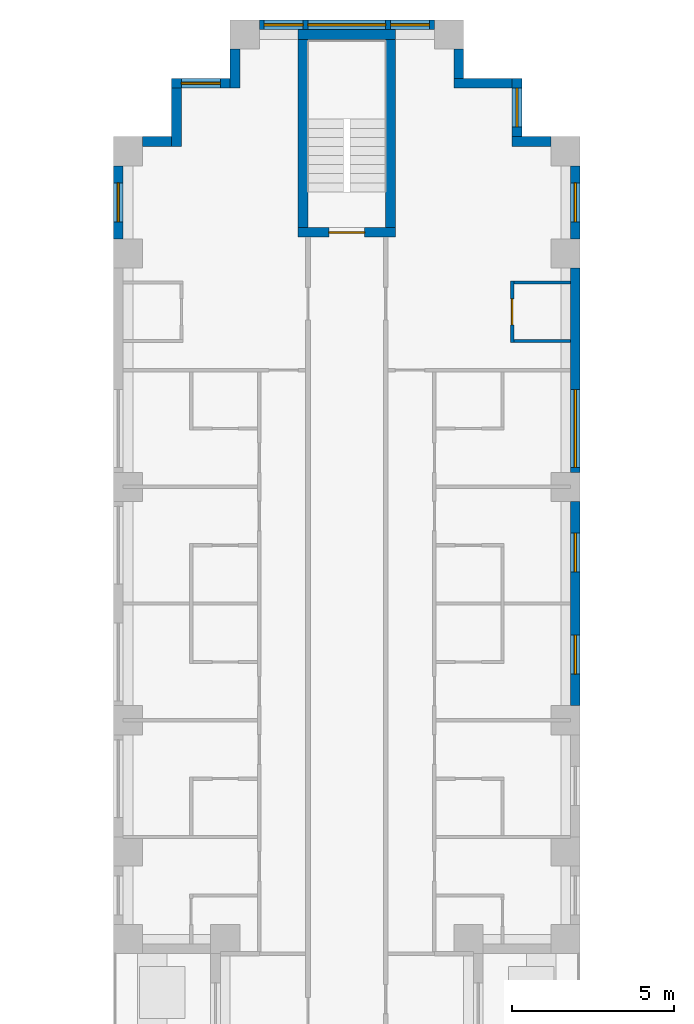
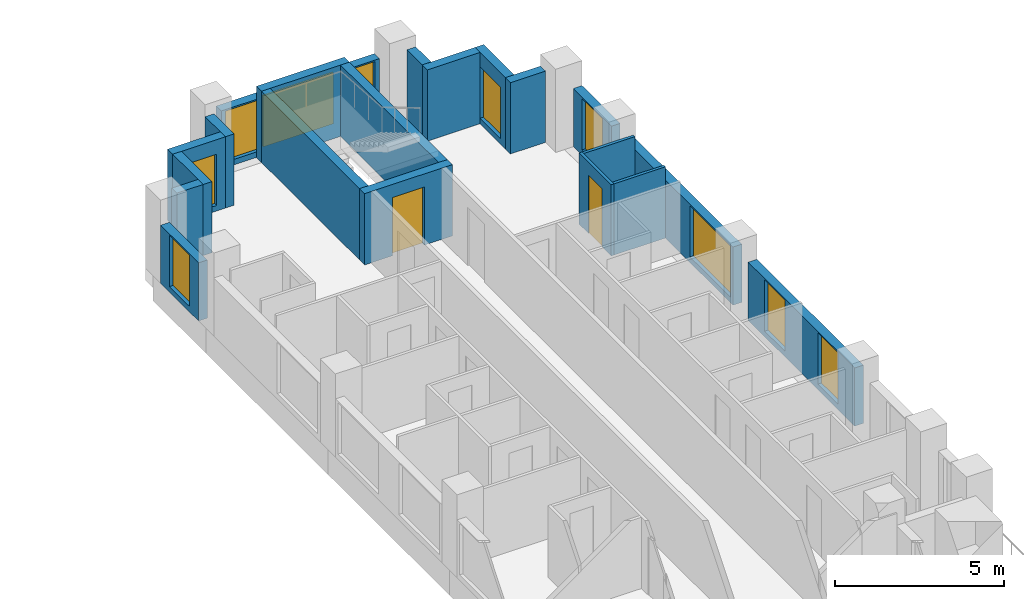
# One storey, part 12 of 15: 20 walls, 10 windows, 2 doors, 12 openings.
"""IFC4 building model written with IfcOpenShell, lengths in metres."""

from ifc_helpers import new_model, si_unit, direction, frame, frame_2d, origin, place, context, subcontext, project, spatial, rectangle, extrude, material, layer, layer_set, type_object, element, fill, save


model = new_model("IFC4")

# Units and contexts
model_context = context("Model", 3, precision=1e-05, world=origin(), true_north=direction((0.0, 1.0)))
body_context = subcontext(model_context, "Body", "Model", "MODEL_VIEW")
ifc_project = project(units=[si_unit("LENGTHUNIT", "METRE"), si_unit("AREAUNIT", "SQUARE_METRE"), si_unit("VOLUMEUNIT", "CUBIC_METRE"), si_unit("PLANEANGLEUNIT", "RADIAN"), si_unit("MASSUNIT", "GRAM", prefix="KILO")], contexts=[model_context])

# Site, building, storey
site_placement = place(None, origin())
site = spatial("IfcSite", under=ifc_project, at=site_placement, CompositionType="ELEMENT")
building_placement = place(site_placement, origin())
building = spatial("IfcBuilding", under=site, at=building_placement, Name="Fustian Cross Tower", CompositionType="ELEMENT")
storey_placement = place(building_placement, frame((0.0, 0.0, 14.699951171875)))
storey = spatial("IfcBuildingStorey", under=building, at=storey_placement, Name="L03", CompositionType="ELEMENT", Elevation=14.699951171875)

# Wall, opening, door
ifc_material_1 = material(Name="Plasterboard on steel stud", Category="steel")
ifc_layer_1 = layer(ifc_material_1, 0.10009765625)
ifc_layer_set_1 = layer_set([ifc_layer_1], Name="Plasterboard on steel stud")
wall_type_1 = type_object("IfcWallType", Name="PARTITION 100 STUD", PredefinedType="PARTITIONING", material=ifc_layer_set_1)
wall_1_placement = place(storey_placement, frame((5.10009765625, 33.25, 0.0), z_axis=(0.0, 0.0, 1.0), x_axis=(0.0, 1.0, 0.0)))
wall_1 = element("IfcWall", 1, at=wall_1_placement, inside=storey, type_object=wall_type_1, Name="Partition 95", PredefinedType="PARTITIONING", context=body_context, shape_type="SweptSolid", body=[
    extrude(rectangle(XDim=1.89990234375, YDim=0.10009765625, at=frame_2d((0.949951171875, 0.0))), origin(), (0.0, 0.0, 1.0), 2.574951171875),
])
opening_1_placement = place(wall_1_placement, frame((0.550048828125, 0.0, 0.0)))
opening_1 = element("IfcOpeningElement", 2, at=opening_1_placement, cuts=wall_1, Name="Opening D04035", PredefinedType="OPENING", context=body_context, shape_type="SweptSolid", body=[
    extrude(rectangle(XDim=0.800048828125, YDim=2.10009765625, at=frame_2d((0.39990234375, 1.050048828125))), frame((0.0, 0.06005859375, 0.0), z_axis=(0.0, -1.0, 0.0), x_axis=(1.0, 0.0, 0.0)), (0.0, 0.0, 1.0), 0.1201171875),
])
ifc_material_2 = material(Name="Painted timber", Category="wood")
door_type_1 = type_object("IfcDoorType", Name="SWING DOOR 800", OperationType="SINGLE_SWING_LEFT", PredefinedType="DOOR", material=ifc_material_2)
door_1_placement = place(opening_1_placement, frame((0.800048828125, 0.0, 0.0), z_axis=(0.0, 0.0, 1.0), x_axis=(-1.0, 0.0, 0.0)))
door_1 = element("IfcDoor", 3, at=door_1_placement, inside=storey, type_object=door_type_1, Name="Door D04035", OperationType="SINGLE_SWING_LEFT", OverallHeight=2.10009765625, OverallWidth=0.800048828125, PredefinedType="DOOR", context=body_context, shape_type="SweptSolid", body=[
    extrude(rectangle(XDim=0.800048828125, YDim=2.10009765625, at=frame_2d((0.39990234375, 1.050048828125))), frame((0.0, 0.02490234375, 0.0), z_axis=(0.0, -1.0, 0.0), x_axis=(1.0, 0.0, 0.0)), (0.0, 0.0, 1.0), 0.050048828125),
])
fill(opening_1, door_1)

# Walls
for number, where, z_axis, x_axis, name in (
    (4, (5.14990234375, 33.300048828125, 0.0), (0.0, 0.0, 1.0), (1.0, 0.0, 0.0), "Partition 96"),
    (5, (5.14990234375, 35.10009765625, 0.0), (0.0, 0.0, 1.0), (1.0, 0.0, 0.0), "Partition 97"),
):
    element("IfcWall", number, at=place(storey_placement, frame(where, z_axis=z_axis, x_axis=x_axis)), inside=storey, type_object=wall_type_1, Name=name, PredefinedType="PARTITIONING", context=body_context, shape_type="SweptSolid", body=[
        extrude(rectangle(XDim=1.75, YDim=0.10009765625, at=frame_2d((0.875, 0.0))), origin(), (0.0, 0.0, 1.0), 2.574951171875),
    ])

# Wall, opening, door
ifc_material_3 = material(Name="Concrete C50/60", Category="concrete")
ifc_layer_2 = layer(ifc_material_3, 0.300048828125)
ifc_layer_set_2 = layer_set([ifc_layer_2], Name="Concrete C50/60")
wall_type_2 = type_object("IfcWallType", Name="STAIR ENCLOSURE WALL 300 C50/60", PredefinedType="SHEAR", material=ifc_layer_set_2)
wall_2_placement = place(storey_placement, frame((-1.5, 36.64990234375, 0.0), z_axis=(0.0, 0.0, 1.0), x_axis=(1.0, 0.0, 0.0)))
wall_2 = element("IfcWall", 6, at=wall_2_placement, inside=storey, type_object=wall_type_2, Name="Stair enclosure wall", PredefinedType="SHEAR", context=body_context, shape_type="SweptSolid", body=[
    extrude(rectangle(XDim=3.0, YDim=0.300048828125, at=frame_2d((1.5, 0.0))), origin(), (0.0, 0.0, 1.0), 2.574951171875),
])
opening_2_placement = place(wall_2_placement, frame((0.949951171875, 0.0, 0.0)))
opening_2 = element("IfcOpeningElement", 7, at=opening_2_placement, cuts=wall_2, Name="Opening CD-04-29", PredefinedType="OPENING", context=body_context, shape_type="SweptSolid", body=[
    extrude(rectangle(XDim=1.10009765625, YDim=2.10009765625, at=frame_2d((0.550048828125, 1.050048828125))), frame((0.0, 0.159912109375, 0.0), z_axis=(0.0, -1.0, 0.0), x_axis=(1.0, 0.0, 0.0)), (0.0, 0.0, 1.0), 0.320068359375),
])
ifc_material_4 = material(Name="Steel", Category="steel")
door_type_2 = type_object("IfcDoorType", Name="FIRE DOOR FD60S 1100X2100", OperationType="SINGLE_SWING_LEFT", PredefinedType="DOOR", material=ifc_material_4)
door_2_placement = place(opening_2_placement, origin())
door_2 = element("IfcDoor", 8, at=door_2_placement, inside=storey, type_object=door_type_2, Name="Core door CD-04-29", OperationType="SINGLE_SWING_LEFT", OverallHeight=2.10009765625, OverallWidth=1.10009765625, PredefinedType="DOOR", context=body_context, shape_type="SweptSolid", body=[
    extrude(rectangle(XDim=1.10009765625, YDim=2.10009765625, at=frame_2d((0.550048828125, 1.050048828125))), frame((0.0, 0.02490234375, 0.0), z_axis=(0.0, -1.0, 0.0), x_axis=(1.0, 0.0, 0.0)), (0.0, 0.0, 1.0), 0.050048828125),
])
fill(opening_2, door_2)

# Walls
wall_3_placement = place(storey_placement, frame((-1.5, 42.75, 0.0), z_axis=(0.0, 0.0, 1.0), x_axis=(1.0, 0.0, 0.0)))
element("IfcWall", 9, at=wall_3_placement, inside=storey, type_object=wall_type_2, Name="Stair enclosure wall", PredefinedType="SHEAR", context=body_context, shape_type="SweptSolid", body=[
    extrude(rectangle(XDim=3.0, YDim=0.300048828125, at=frame_2d((1.5, 0.0))), origin(), (0.0, 0.0, 1.0), 2.574951171875),
])
for number, where, z_axis, x_axis, name in (
    (10, (-1.35009765625, 36.800048828125, 0.0), (0.0, 0.0, 1.0), (0.0, 1.0, 0.0), "Stair enclosure wall"),
    (11, (1.35009765625, 36.800048828125, 0.0), (0.0, 0.0, 1.0), (0.0, 1.0, 0.0), "Stair enclosure wall"),
):
    element("IfcWall", number, at=place(storey_placement, frame(where, z_axis=z_axis, x_axis=x_axis)), inside=storey, type_object=wall_type_2, Name=name, PredefinedType="SHEAR", context=body_context, shape_type="SweptSolid", body=[
        extrude(rectangle(XDim=5.800048828125, YDim=0.300048828125, at=frame_2d((2.89990234375, 0.0))), origin(), (0.0, 0.0, 1.0), 2.574951171875),
    ])

# Wall, openings, windows
ifc_material_5 = material(Name="Dark aluminium cladding on insulated backing wall", Category="aluminium")
ifc_layer_3 = layer(ifc_material_5, 0.300048828125)
ifc_layer_set_3 = layer_set([ifc_layer_3], Name="Dark aluminium cladding on insulated backing wall")
wall_type_3 = type_object("IfcWallType", Name="XW1 EXTERNAL WALL 300", PredefinedType="SOLIDWALL", material=ifc_layer_set_3)
wall_4_placement = place(storey_placement, frame((7.050048828125, 22.050048828125, 0.0), z_axis=(0.0, 0.0, 1.0), x_axis=(0.0, 1.0, 0.0)))
wall_4 = element("IfcWall", 12, at=wall_4_placement, inside=storey, type_object=wall_type_3, Name="External wall", PredefinedType="SOLIDWALL", context=body_context, shape_type="SweptSolid", body=[
    extrude(rectangle(XDim=6.300048828125, YDim=0.300048828125, at=frame_2d((3.14990234375, 0.0))), origin(), (0.0, 0.0, 1.0), 2.10009765625),
])
opening_3_placement = place(wall_4_placement, frame((0.97509765625, 0.0, 0.199951171875)))
opening_3 = element("IfcOpeningElement", 13, at=opening_3_placement, cuts=wall_4, Name="Opening WN3", PredefinedType="OPENING", context=body_context, shape_type="SweptSolid", body=[
    extrude(rectangle(XDim=1.199951171875, YDim=1.85009765625, at=frame_2d((0.60009765625, 0.925048828125))), frame((0.0, 0.159912109375, 0.0), z_axis=(0.0, -1.0, 0.0), x_axis=(1.0, 0.0, 0.0)), (0.0, 0.0, 1.0), 0.320068359375),
])
opening_4_placement = place(wall_4_placement, frame((4.125, 0.0, 0.199951171875)))
opening_4 = element("IfcOpeningElement", 14, at=opening_4_placement, cuts=wall_4, Name="Opening WN3", PredefinedType="OPENING", context=body_context, shape_type="SweptSolid", body=[
    extrude(rectangle(XDim=1.199951171875, YDim=1.85009765625, at=frame_2d((0.60009765625, 0.925048828125))), frame((0.0, 0.159912109375, 0.0), z_axis=(0.0, -1.0, 0.0), x_axis=(1.0, 0.0, 0.0)), (0.0, 0.0, 1.0), 0.320068359375),
])
ifc_material_6 = material(Name="Dark anodised aluminium and double glazing", Category="aluminium")
window_type_1 = type_object("IfcWindowType", Name="WN3 WINDOW 1200X1850", PartitioningType="SINGLE_PANEL", PredefinedType="WINDOW", material=ifc_material_6)
window_1_placement = place(opening_3_placement, origin())
window_1 = element("IfcWindow", 15, at=window_1_placement, inside=storey, type_object=window_type_1, Name="Window", OverallHeight=1.85009765625, OverallWidth=1.199951171875, PartitioningType="SINGLE_PANEL", PredefinedType="WINDOW", context=body_context, shape_type="SweptSolid", body=[
    extrude(rectangle(XDim=1.199951171875, YDim=1.85009765625, at=frame_2d((0.60009765625, 0.925048828125))), frame((0.0, 0.030029296875, 0.0), z_axis=(0.0, -1.0, 0.0), x_axis=(1.0, 0.0, 0.0)), (0.0, 0.0, 1.0), 0.06005859375),
])
fill(opening_3, window_1)
window_2_placement = place(opening_4_placement, origin())
window_2 = element("IfcWindow", 16, at=window_2_placement, inside=storey, type_object=window_type_1, Name="Window", OverallHeight=1.85009765625, OverallWidth=1.199951171875, PartitioningType="SINGLE_PANEL", PredefinedType="WINDOW", context=body_context, shape_type="SweptSolid", body=[
    extrude(rectangle(XDim=1.199951171875, YDim=1.85009765625, at=frame_2d((0.60009765625, 0.925048828125))), frame((0.0, 0.030029296875, 0.0), z_axis=(0.0, -1.0, 0.0), x_axis=(1.0, 0.0, 0.0)), (0.0, 0.0, 1.0), 0.06005859375),
])
fill(opening_4, window_2)

# Wall, opening, window
wall_5_placement = place(storey_placement, frame((7.050048828125, 29.25, 0.0), z_axis=(0.0, 0.0, 1.0), x_axis=(0.0, 1.0, 0.0)))
wall_5 = element("IfcWall", 17, at=wall_5_placement, inside=storey, type_object=wall_type_3, Name="External wall", PredefinedType="SOLIDWALL", context=body_context, shape_type="SweptSolid", body=[
    extrude(rectangle(XDim=6.300048828125, YDim=0.300048828125, at=frame_2d((3.14990234375, 0.0))), origin(), (0.0, 0.0, 1.0), 2.10009765625),
])
opening_5_placement = place(wall_5_placement, frame((0.14990234375, 0.0, 0.199951171875)))
opening_5 = element("IfcOpeningElement", 18, at=opening_5_placement, cuts=wall_5, Name="Opening WN1", PredefinedType="OPENING", context=body_context, shape_type="SweptSolid", body=[
    extrude(rectangle(XDim=2.39990234375, YDim=1.85009765625, at=frame_2d((1.199951171875, 0.925048828125))), frame((0.0, 0.159912109375, 0.0), z_axis=(0.0, -1.0, 0.0), x_axis=(1.0, 0.0, 0.0)), (0.0, 0.0, 1.0), 0.320068359375),
])
ifc_material_7 = material(Name="Dark anodised aluminium and double glazing", Category="aluminium")
window_type_2 = type_object("IfcWindowType", Name="WN1 WINDOW 2400X1850", PartitioningType="SINGLE_PANEL", PredefinedType="WINDOW", material=ifc_material_7)
window_3_placement = place(opening_5_placement, origin())
window_3 = element("IfcWindow", 19, at=window_3_placement, inside=storey, type_object=window_type_2, Name="Window", OverallHeight=1.85009765625, OverallWidth=2.39990234375, PartitioningType="SINGLE_PANEL", PredefinedType="WINDOW", context=body_context, shape_type="SweptSolid", body=[
    extrude(rectangle(XDim=2.39990234375, YDim=1.85009765625, at=frame_2d((1.199951171875, 0.925048828125))), frame((0.0, 0.030029296875, 0.0), z_axis=(0.0, -1.0, 0.0), x_axis=(1.0, 0.0, 0.0)), (0.0, 0.0, 1.0), 0.06005859375),
])
fill(opening_5, window_3)

wall_6_placement = place(storey_placement, frame((7.050048828125, 36.449951171875, 0.0), z_axis=(0.0, 0.0, 1.0), x_axis=(0.0, 1.0, 0.0)))
wall_6 = element("IfcWall", 20, at=wall_6_placement, inside=storey, type_object=wall_type_3, Name="External wall", PredefinedType="SOLIDWALL", context=body_context, shape_type="SweptSolid", body=[
    extrude(rectangle(XDim=2.25, YDim=0.300048828125, at=frame_2d((1.125, 0.0))), origin(), (0.0, 0.0, 1.0), 2.10009765625),
])
opening_6_placement = place(wall_6_placement, frame((0.52490234375, 0.0, 0.199951171875)))
opening_6 = element("IfcOpeningElement", 21, at=opening_6_placement, cuts=wall_6, Name="Opening WN3", PredefinedType="OPENING", context=body_context, shape_type="SweptSolid", body=[
    extrude(rectangle(XDim=1.199951171875, YDim=1.85009765625, at=frame_2d((0.60009765625, 0.925048828125))), frame((0.0, 0.159912109375, 0.0), z_axis=(0.0, -1.0, 0.0), x_axis=(1.0, 0.0, 0.0)), (0.0, 0.0, 1.0), 0.320068359375),
])
window_4_placement = place(opening_6_placement, origin())
window_4 = element("IfcWindow", 22, at=window_4_placement, inside=storey, type_object=window_type_1, Name="Window", OverallHeight=1.85009765625, OverallWidth=1.199951171875, PartitioningType="SINGLE_PANEL", PredefinedType="WINDOW", context=body_context, shape_type="SweptSolid", body=[
    extrude(rectangle(XDim=1.199951171875, YDim=1.85009765625, at=frame_2d((0.60009765625, 0.925048828125))), frame((0.0, 0.030029296875, 0.0), z_axis=(0.0, -1.0, 0.0), x_axis=(1.0, 0.0, 0.0)), (0.0, 0.0, 1.0), 0.06005859375),
])
fill(opening_6, window_4)

# Wall
wall_7_placement = place(storey_placement, frame((6.300048828125, 39.449951171875, 0.0), z_axis=(0.0, 0.0, 1.0), x_axis=(-1.0, 0.0, 0.0)))
element("IfcWall", 23, at=wall_7_placement, inside=storey, type_object=wall_type_3, Name="External wall", PredefinedType="SOLIDWALL", context=body_context, shape_type="SweptSolid", body=[
    extrude(rectangle(XDim=1.199951171875, YDim=0.300048828125, at=frame_2d((0.60009765625, 0.0))), origin(), (0.0, 0.0, 1.0), 2.574951171875),
])

# Wall, opening, window
wall_8_placement = place(storey_placement, frame((5.25, 39.60009765625, 0.0), z_axis=(0.0, 0.0, 1.0), x_axis=(0.0, 1.0, 0.0)))
wall_8 = element("IfcWall", 24, at=wall_8_placement, inside=storey, type_object=wall_type_3, Name="External wall", PredefinedType="SOLIDWALL", context=body_context, shape_type="SweptSolid", body=[
    extrude(rectangle(XDim=1.7998046875, YDim=0.300048828125, at=frame_2d((0.89990234375, 0.0))), origin(), (0.0, 0.0, 1.0), 2.574951171875),
])
opening_7_placement = place(wall_8_placement, frame((0.300048828125, 0.0, 0.199951171875)))
opening_7 = element("IfcOpeningElement", 25, at=opening_7_placement, cuts=wall_8, Name="Opening WN3", PredefinedType="OPENING", context=body_context, shape_type="SweptSolid", body=[
    extrude(rectangle(XDim=1.199951171875, YDim=1.85009765625, at=frame_2d((0.60009765625, 0.925048828125))), frame((0.0, 0.159912109375, 0.0), z_axis=(0.0, -1.0, 0.0), x_axis=(1.0, 0.0, 0.0)), (0.0, 0.0, 1.0), 0.320068359375),
])
window_5_placement = place(opening_7_placement, origin())
window_5 = element("IfcWindow", 26, at=window_5_placement, inside=storey, type_object=window_type_1, Name="Window", OverallHeight=1.85009765625, OverallWidth=1.199951171875, PartitioningType="SINGLE_PANEL", PredefinedType="WINDOW", context=body_context, shape_type="SweptSolid", body=[
    extrude(rectangle(XDim=1.199951171875, YDim=1.85009765625, at=frame_2d((0.60009765625, 0.925048828125))), frame((0.0, 0.030029296875, 0.0), z_axis=(0.0, -1.0, 0.0), x_axis=(1.0, 0.0, 0.0)), (0.0, 0.0, 1.0), 0.06005859375),
])
fill(opening_7, window_5)

# Walls
wall_9_placement = place(storey_placement, frame((5.10009765625, 41.25, 0.0), z_axis=(0.0, 0.0, 1.0), x_axis=(-1.0, 0.0, 0.0)))
element("IfcWall", 27, at=wall_9_placement, inside=storey, type_object=wall_type_3, Name="External wall", PredefinedType="SOLIDWALL", context=body_context, shape_type="SweptSolid", body=[
    extrude(rectangle(XDim=1.800048828125, YDim=0.300048828125, at=frame_2d((0.89990234375, 0.0))), origin(), (0.0, 0.0, 1.0), 2.574951171875),
])
wall_10_placement = place(storey_placement, frame((3.449951171875, 41.39990234375, 0.0), z_axis=(0.0, 0.0, 1.0), x_axis=(0.0, 1.0, 0.0)))
element("IfcWall", 28, at=wall_10_placement, inside=storey, type_object=wall_type_3, Name="External wall", PredefinedType="SOLIDWALL", context=body_context, shape_type="SweptSolid", body=[
    extrude(rectangle(XDim=0.900146484375, YDim=0.300048828125, at=frame_2d((0.4501953125, 0.0))), origin(), (0.0, 0.0, 1.0), 2.574951171875),
])

# Wall, openings, windows
wall_11_placement = place(storey_placement, frame((2.699951171875, 43.050048828125, 0.0), z_axis=(0.0, 0.0, 1.0), x_axis=(-1.0, 0.0, 0.0)))
wall_11 = element("IfcWall", 29, at=wall_11_placement, inside=storey, type_object=wall_type_3, Name="External wall", PredefinedType="SOLIDWALL", context=body_context, shape_type="SweptSolid", body=[
    extrude(rectangle(XDim=5.39990234375, YDim=0.300048828125, at=frame_2d((2.699951171875, 0.0))), origin(), (0.0, 0.0, 1.0), 2.10009765625),
])
opening_8_placement = place(wall_11_placement, frame((1.5, 0.0, 0.199951171875)))
opening_8 = element("IfcOpeningElement", 30, at=opening_8_placement, cuts=wall_11, Name="Opening WN1", PredefinedType="OPENING", context=body_context, shape_type="SweptSolid", body=[
    extrude(rectangle(XDim=2.39990234375, YDim=1.85009765625, at=frame_2d((1.199951171875, 0.925048828125))), frame((0.0, 0.159912109375, 0.0), z_axis=(0.0, -1.0, 0.0), x_axis=(1.0, 0.0, 0.0)), (0.0, 0.0, 1.0), 0.320068359375),
])
opening_9_placement = place(wall_11_placement, frame((0.14990234375, 0.0, 0.199951171875)))
opening_9 = element("IfcOpeningElement", 31, at=opening_9_placement, cuts=wall_11, Name="Opening WN3", PredefinedType="OPENING", context=body_context, shape_type="SweptSolid", body=[
    extrude(rectangle(XDim=1.199951171875, YDim=1.85009765625, at=frame_2d((0.60009765625, 0.925048828125))), frame((0.0, 0.159912109375, 0.0), z_axis=(0.0, -1.0, 0.0), x_axis=(1.0, 0.0, 0.0)), (0.0, 0.0, 1.0), 0.320068359375),
])
opening_10_placement = place(wall_11_placement, frame((4.050048828125, 0.0, 0.199951171875)))
opening_10 = element("IfcOpeningElement", 32, at=opening_10_placement, cuts=wall_11, Name="Opening WN3", PredefinedType="OPENING", context=body_context, shape_type="SweptSolid", body=[
    extrude(rectangle(XDim=1.199951171875, YDim=1.85009765625, at=frame_2d((0.60009765625, 0.925048828125))), frame((0.0, 0.159912109375, 0.0), z_axis=(0.0, -1.0, 0.0), x_axis=(1.0, 0.0, 0.0)), (0.0, 0.0, 1.0), 0.320068359375),
])
window_6_placement = place(opening_8_placement, origin())
window_6 = element("IfcWindow", 33, at=window_6_placement, inside=storey, type_object=window_type_2, Name="Window", OverallHeight=1.85009765625, OverallWidth=2.39990234375, PartitioningType="SINGLE_PANEL", PredefinedType="WINDOW", context=body_context, shape_type="SweptSolid", body=[
    extrude(rectangle(XDim=2.39990234375, YDim=1.85009765625, at=frame_2d((1.199951171875, 0.925048828125))), frame((0.0, 0.030029296875, 0.0), z_axis=(0.0, -1.0, 0.0), x_axis=(1.0, 0.0, 0.0)), (0.0, 0.0, 1.0), 0.06005859375),
])
fill(opening_8, window_6)
window_7_placement = place(opening_9_placement, origin())
window_7 = element("IfcWindow", 34, at=window_7_placement, inside=storey, type_object=window_type_1, Name="Window", OverallHeight=1.85009765625, OverallWidth=1.199951171875, PartitioningType="SINGLE_PANEL", PredefinedType="WINDOW", context=body_context, shape_type="SweptSolid", body=[
    extrude(rectangle(XDim=1.199951171875, YDim=1.85009765625, at=frame_2d((0.60009765625, 0.925048828125))), frame((0.0, 0.030029296875, 0.0), z_axis=(0.0, -1.0, 0.0), x_axis=(1.0, 0.0, 0.0)), (0.0, 0.0, 1.0), 0.06005859375),
])
fill(opening_9, window_7)
window_8_placement = place(opening_10_placement, origin())
window_8 = element("IfcWindow", 35, at=window_8_placement, inside=storey, type_object=window_type_1, Name="Window", OverallHeight=1.85009765625, OverallWidth=1.199951171875, PartitioningType="SINGLE_PANEL", PredefinedType="WINDOW", context=body_context, shape_type="SweptSolid", body=[
    extrude(rectangle(XDim=1.199951171875, YDim=1.85009765625, at=frame_2d((0.60009765625, 0.925048828125))), frame((0.0, 0.030029296875, 0.0), z_axis=(0.0, -1.0, 0.0), x_axis=(1.0, 0.0, 0.0)), (0.0, 0.0, 1.0), 0.06005859375),
])
fill(opening_10, window_8)

# Wall
wall_12_placement = place(storey_placement, frame((-3.449951171875, 42.300048828125, 0.0), z_axis=(0.0, 0.0, 1.0), x_axis=(0.0, -1.0, 0.0)))
element("IfcWall", 36, at=wall_12_placement, inside=storey, type_object=wall_type_3, Name="External wall", PredefinedType="SOLIDWALL", context=body_context, shape_type="SweptSolid", body=[
    extrude(rectangle(XDim=1.199951171875, YDim=0.300048828125, at=frame_2d((0.60009765625, 0.0))), origin(), (0.0, 0.0, 1.0), 2.574951171875),
])

# Wall, opening, window
wall_13_placement = place(storey_placement, frame((-3.60009765625, 41.25, 0.0), z_axis=(0.0, 0.0, 1.0), x_axis=(-1.0, 0.0, 0.0)))
wall_13 = element("IfcWall", 37, at=wall_13_placement, inside=storey, type_object=wall_type_3, Name="External wall", PredefinedType="SOLIDWALL", context=body_context, shape_type="SweptSolid", body=[
    extrude(rectangle(XDim=1.7998046875, YDim=0.300048828125, at=frame_2d((0.89990234375, 0.0))), origin(), (0.0, 0.0, 1.0), 2.574951171875),
])
opening_11_placement = place(wall_13_placement, frame((0.300048828125, 0.0, 0.199951171875)))
opening_11 = element("IfcOpeningElement", 38, at=opening_11_placement, cuts=wall_13, Name="Opening WN3", PredefinedType="OPENING", context=body_context, shape_type="SweptSolid", body=[
    extrude(rectangle(XDim=1.199951171875, YDim=1.85009765625, at=frame_2d((0.60009765625, 0.925048828125))), frame((0.0, 0.159912109375, 0.0), z_axis=(0.0, -1.0, 0.0), x_axis=(1.0, 0.0, 0.0)), (0.0, 0.0, 1.0), 0.320068359375),
])
window_9_placement = place(opening_11_placement, origin())
window_9 = element("IfcWindow", 39, at=window_9_placement, inside=storey, type_object=window_type_1, Name="Window", OverallHeight=1.85009765625, OverallWidth=1.199951171875, PartitioningType="SINGLE_PANEL", PredefinedType="WINDOW", context=body_context, shape_type="SweptSolid", body=[
    extrude(rectangle(XDim=1.199951171875, YDim=1.85009765625, at=frame_2d((0.60009765625, 0.925048828125))), frame((0.0, 0.030029296875, 0.0), z_axis=(0.0, -1.0, 0.0), x_axis=(1.0, 0.0, 0.0)), (0.0, 0.0, 1.0), 0.06005859375),
])
fill(opening_11, window_9)

# Walls
wall_14_placement = place(storey_placement, frame((-5.25, 41.10009765625, 0.0), z_axis=(0.0, 0.0, 1.0), x_axis=(0.0, -1.0, 0.0)))
element("IfcWall", 40, at=wall_14_placement, inside=storey, type_object=wall_type_3, Name="External wall", PredefinedType="SOLIDWALL", context=body_context, shape_type="SweptSolid", body=[
    extrude(rectangle(XDim=1.800048828125, YDim=0.300048828125, at=frame_2d((0.89990234375, 0.0))), origin(), (0.0, 0.0, 1.0), 2.574951171875),
])
wall_15_placement = place(storey_placement, frame((-5.39990234375, 39.449951171875, 0.0), z_axis=(0.0, 0.0, 1.0), x_axis=(-1.0, 0.0, 0.0)))
element("IfcWall", 41, at=wall_15_placement, inside=storey, type_object=wall_type_3, Name="External wall", PredefinedType="SOLIDWALL", context=body_context, shape_type="SweptSolid", body=[
    extrude(rectangle(XDim=0.900146484375, YDim=0.300048828125, at=frame_2d((0.4501953125, 0.0))), origin(), (0.0, 0.0, 1.0), 2.574951171875),
])

# Wall, opening, window
wall_16_placement = place(storey_placement, frame((-7.050048828125, 38.699951171875, 0.0), z_axis=(0.0, 0.0, 1.0), x_axis=(0.0, -1.0, 0.0)))
wall_16 = element("IfcWall", 42, at=wall_16_placement, inside=storey, type_object=wall_type_3, Name="External wall", PredefinedType="SOLIDWALL", context=body_context, shape_type="SweptSolid", body=[
    extrude(rectangle(XDim=2.25, YDim=0.300048828125, at=frame_2d((1.125, 0.0))), origin(), (0.0, 0.0, 1.0), 2.10009765625),
])
opening_12_placement = place(wall_16_placement, frame((0.52490234375, 0.0, 0.199951171875)))
opening_12 = element("IfcOpeningElement", 43, at=opening_12_placement, cuts=wall_16, Name="Opening WN3", PredefinedType="OPENING", context=body_context, shape_type="SweptSolid", body=[
    extrude(rectangle(XDim=1.199951171875, YDim=1.85009765625, at=frame_2d((0.60009765625, 0.925048828125))), frame((0.0, 0.159912109375, 0.0), z_axis=(0.0, -1.0, 0.0), x_axis=(1.0, 0.0, 0.0)), (0.0, 0.0, 1.0), 0.320068359375),
])
window_10_placement = place(opening_12_placement, origin())
window_10 = element("IfcWindow", 44, at=window_10_placement, inside=storey, type_object=window_type_1, Name="Window", OverallHeight=1.85009765625, OverallWidth=1.199951171875, PartitioningType="SINGLE_PANEL", PredefinedType="WINDOW", context=body_context, shape_type="SweptSolid", body=[
    extrude(rectangle(XDim=1.199951171875, YDim=1.85009765625, at=frame_2d((0.60009765625, 0.925048828125))), frame((0.0, 0.030029296875, 0.0), z_axis=(0.0, -1.0, 0.0), x_axis=(1.0, 0.0, 0.0)), (0.0, 0.0, 1.0), 0.06005859375),
])
fill(opening_12, window_10)

save(model, "model.ifc")
